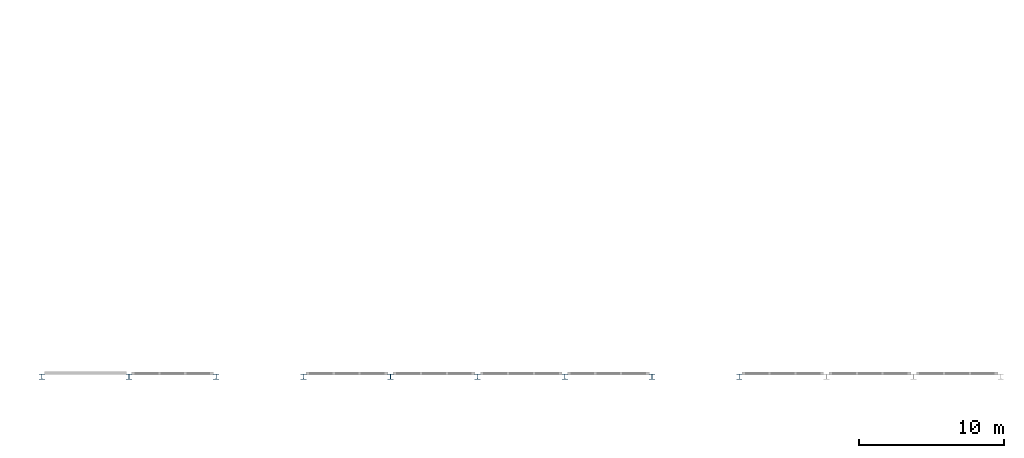
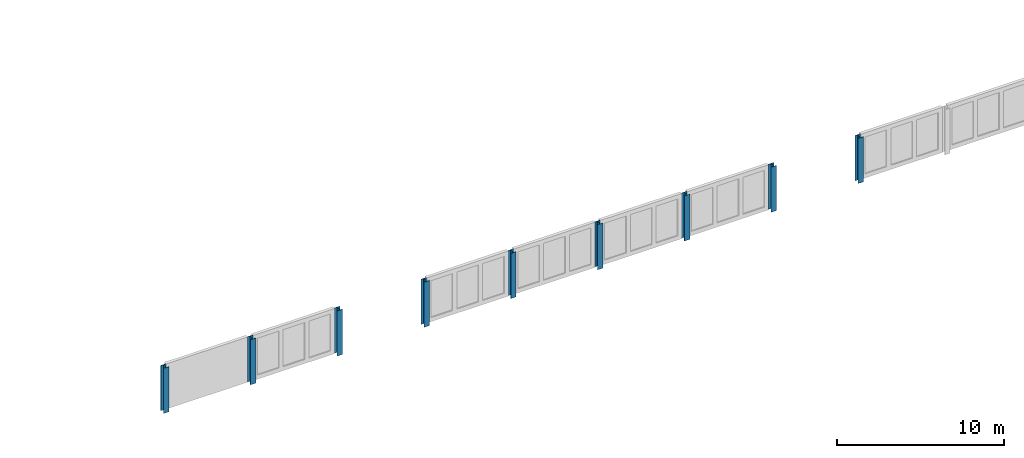
# One storey, part 1 of 199: 9 columns.
"""IFC4 building model written with IfcOpenShell, lengths in metres."""

from ifc_helpers import new_model, si_unit, direction, frame, origin, origin_2d, place, context, subcontext, project, spatial, i_section, extrude, material, material_profile, profile_set, type_object, element, save


model = new_model("IFC4")

# Units and contexts
model_context = context("Model", 3, precision=1e-05, world=origin(), true_north=direction((0.0, 1.0)))
body_context = subcontext(model_context, "Body", "Model", "MODEL_VIEW")
ifc_project = project(units=[si_unit("LENGTHUNIT", "METRE"), si_unit("AREAUNIT", "SQUARE_METRE"), si_unit("VOLUMEUNIT", "CUBIC_METRE"), si_unit("PLANEANGLEUNIT", "RADIAN"), si_unit("MASSUNIT", "GRAM", prefix="KILO")], contexts=[model_context])

# Site, building, storey
site_placement = place(None, origin())
site = spatial("IfcSite", under=ifc_project, at=site_placement, CompositionType="ELEMENT")
building_placement = place(site_placement, origin())
building = spatial("IfcBuilding", under=site, at=building_placement, Name="Parallax Yard Mobility Hub", CompositionType="ELEMENT")
storey_placement = place(building_placement, frame((0.0, 0.0, 9.89990234375)))
storey = spatial("IfcBuildingStorey", under=building, at=storey_placement, Name="L03", CompositionType="ELEMENT", Elevation=9.89990234375)

# Columns
ifc_material = material(Name="Steel ASTM A992", Category="steel")
ifc_material_profile = material_profile(ifc_material, i_section(OverallWidth=0.373046875, OverallDepth=0.367919921875, WebThickness=0.014892578125, FlangeThickness=0.02392578125, FilletRadius=0.01513671875, at=origin_2d()), Name="W360x179")
ifc_profile_set = profile_set([ifc_material_profile], Name="Steel ASTM A992")
column_type = type_object("IfcColumnType", Name="W360x179 column", PredefinedType="COLUMN", material=ifc_profile_set)
for number, where, z_axis, x_axis, name in (
    (1, (9.0, 7.5, 0.0), (0.0, 0.0, 1.0), (1.0, 0.0, 0.0), "Valley column F1 south level L03"),
    (2, (15.0, 7.5, 0.0), (0.0, 0.0, 1.0), (1.0, 0.0, 0.0), "Ridge column F2 south level L03"),
    (3, (21.0, 7.5, 0.0), (0.0, 0.0, 1.0), (1.0, 0.0, 0.0), "Valley column F3 south level L03"),
    (4, (27.0, 7.5, 0.0), (0.0, 0.0, 1.0), (1.0, 0.0, 0.0), "Ridge column F4 south level L03"),
    (5, (33.0, 7.5, 0.0), (0.0, 0.0, 1.0), (1.0, 0.0, 0.0), "Valley column F5 south level L03"),
    (6, (39.0, 7.5, 0.0), (0.0, 0.0, 1.0), (1.0, 0.0, 0.0), "Ridge column F6 south level L03"),
    (7, (45.0, 7.5, 0.0), (0.0, 0.0, 1.0), (1.0, 0.0, 0.0), "Valley column F7 south level L03"),
    (8, (51.0, 7.5, 0.0), (0.0, 0.0, 1.0), (1.0, 0.0, 0.0), "Ridge column F8 south level L03"),
    (9, (57.0, 7.5, 0.0), (0.0, 0.0, 1.0), (1.0, 0.0, 0.0), "Valley column F9 south level L03"),
):
    element("IfcColumn", number, at=place(storey_placement, frame(where, z_axis=z_axis, x_axis=x_axis)), inside=storey, type_object=column_type, Name=name, PredefinedType="COLUMN", context=body_context, shape_type="SweptSolid", body=[
        extrude(i_section(OverallWidth=0.373046875, OverallDepth=0.367919921875, WebThickness=0.014892578125, FlangeThickness=0.02392578125, FilletRadius=0.01513671875, at=origin_2d()), origin(), (0.0, 0.0, 1.0), 3.300048828125),
    ])

save(model, "model.ifc")
